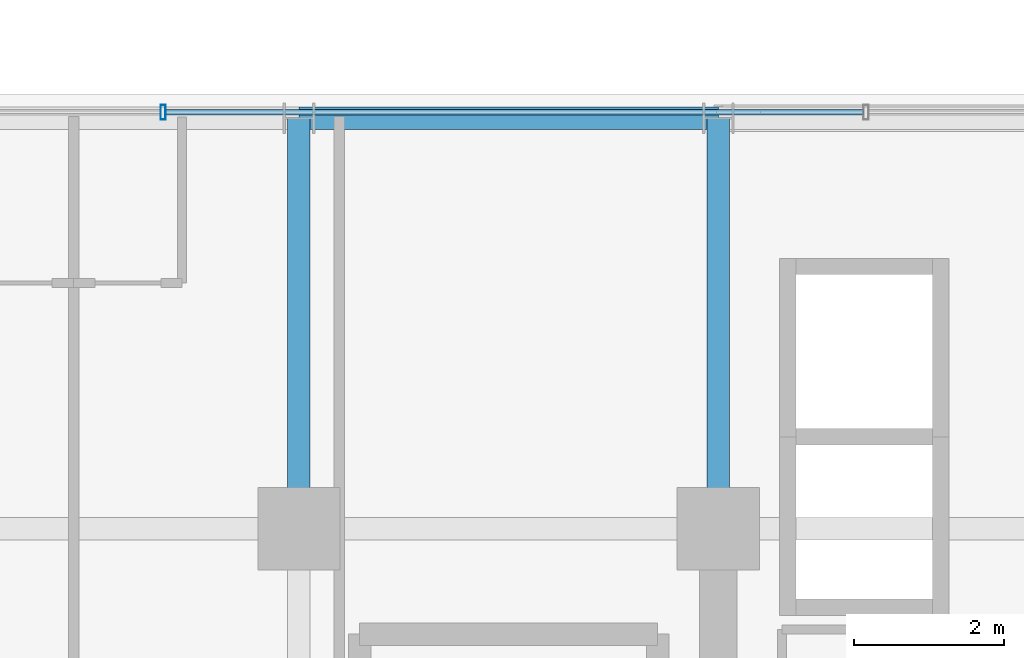
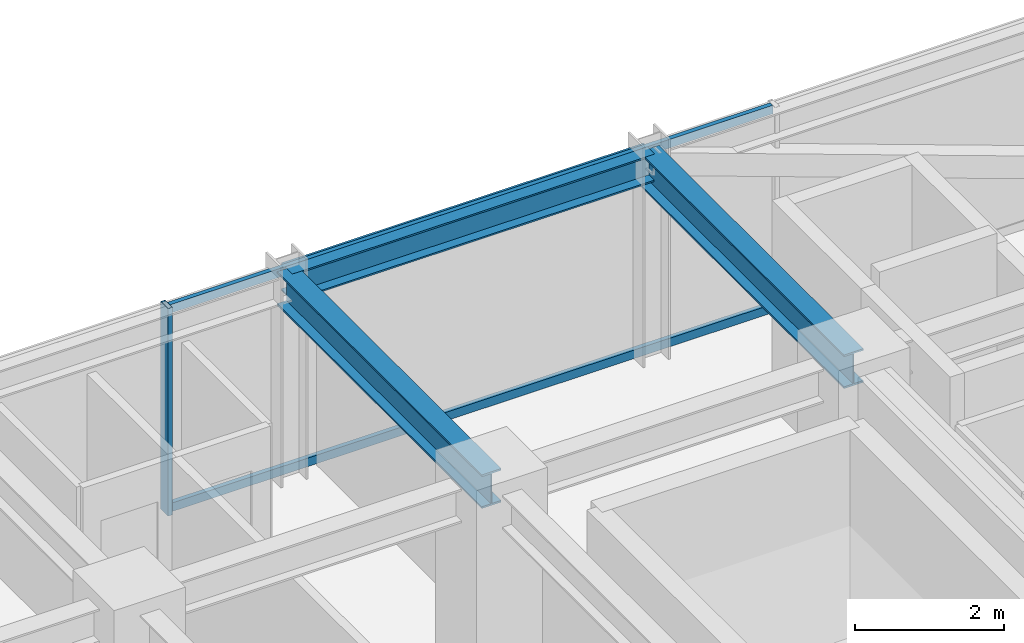
# One storey, part 24 of 36: 3 beams, 3 members, 1 element without a shape of its own.
"""IFC4 building model written with IfcOpenShell, lengths in metres."""

from ifc_helpers import new_model, si_unit, direction, frame, origin, origin_2d, place, context, subcontext, project, spatial, hollow_rectangle, i_section, extrude, source, transform, mapped, material, material_profile, profile_set, type_object, element, aggregate, save


model = new_model("IFC4")

# Units and contexts
model_context = context("Model", 3, precision=1e-05, world=origin(), true_north=direction((0.0, 1.0)))
body_context = subcontext(model_context, "Body", "Model", "MODEL_VIEW")
ifc_project = project(units=[si_unit("LENGTHUNIT", "METRE"), si_unit("AREAUNIT", "SQUARE_METRE"), si_unit("VOLUMEUNIT", "CUBIC_METRE"), si_unit("PLANEANGLEUNIT", "RADIAN"), si_unit("MASSUNIT", "GRAM", prefix="KILO")], contexts=[model_context])

# Site, building, storey
site_placement = place(None, origin())
site = spatial("IfcSite", under=ifc_project, at=site_placement, CompositionType="ELEMENT")
building_placement = place(site_placement, origin())
building = spatial("IfcBuilding", under=site, at=building_placement, Name="Nahalor Promenade Grand Hotel", CompositionType="ELEMENT")
storey_placement = place(building_placement, frame((0.0, 0.0, 174.550048828125)))
storey = spatial("IfcBuildingStorey", under=building, at=storey_placement, Name="L44", CompositionType="ELEMENT", Elevation=174.550048828125)

# Beams
ifc_material_1 = material(Name="Steel S355JR", Category="steel")
ifc_material_profile_1 = material_profile(ifc_material_1, i_section(OverallWidth=0.3, OverallDepth=0.55, WebThickness=0.015, FlangeThickness=0.029, at=origin_2d()), Name="HEB 550")
ifc_profile_set_1 = profile_set([ifc_material_profile_1], Name="Steel S355JR")
beam_type_1 = type_object("IfcBeamType", Name="Beam-Girder-HEB550", PredefinedType="BEAM", material=ifc_profile_set_1)
shared_shape_1 = source(origin(), body_context, "Body", "SweptSolid", [
    extrude(i_section(OverallWidth=0.3, OverallDepth=0.55, WebThickness=0.015, FlangeThickness=0.029, at=origin_2d()), origin(), (0.0, 0.0, 1.0), 5.47998046875),
])
for number, where, z_axis, x_axis, name in (
    (1, (2.800048828125, 17.0, 3.114990234375), (0.0, 1.0, 0.0), (-1.0, 0.0, 0.0), "BM-L44-GY-3-4"),
    (2, (8.39990234375, 17.0, 3.114990234375), (0.0, 1.0, 0.0), (-1.0, 0.0, 0.0), "BM-L44-GY-4-4"),
):
    element("IfcBeam", number, at=place(storey_placement, frame(where, z_axis=z_axis, x_axis=x_axis)), inside=storey, type_object=beam_type_1, Name=name, PredefinedType="BEAM", context=body_context, shape_type="MappedRepresentation", body=[
        mapped(shared_shape_1, transform((0.0, 0.0, 0.0), scale=1.0)),
    ])
ifc_material_profile_2 = material_profile(ifc_material_1, i_section(OverallWidth=0.3, OverallDepth=0.45, WebThickness=0.014, FlangeThickness=0.026, at=origin_2d()), Name="HEB 450")
ifc_profile_set_2 = profile_set([ifc_material_profile_2], Name="Steel S355JR")
beam_type_2 = type_object("IfcBeamType", Name="Beam-Spandrel-HEB450", PredefinedType="SPANDREL", material=ifc_profile_set_2)
shared_shape_2 = source(origin(), body_context, "Body", "SweptSolid", [
    extrude(i_section(OverallWidth=0.3, OverallDepth=0.45, WebThickness=0.014, FlangeThickness=0.026, at=origin_2d()), origin(), (0.0, 0.0, 1.0), 5.599853515625),
])
beam_placement = place(storey_placement, frame((2.800048828125, 22.47998046875, 3.1650390625), z_axis=(1.0, 0.0, 0.0), x_axis=(0.0, 1.0, 0.0)))
element("IfcBeam", 3, at=beam_placement, inside=storey, type_object=beam_type_2, Name="BM-L44-SP-N-3", PredefinedType="SPANDREL", context=body_context, shape_type="MappedRepresentation", body=[
    mapped(shared_shape_2, transform((0.0, 0.0, 0.0), scale=1.0)),
])

# Curtain wall, members
ifc_material_2 = material(Name="Anodised Bronze Aluminium EN AW-6063 T6", Category="aluminium")
curtain_wall_type = type_object("IfcCurtainWallType", Name="CW3 Elliptical-Void Collar Unitised Curtain Wall", PredefinedType="USERDEFINED", material=ifc_material_2)
curtain_wall_placement = place(storey_placement, origin())
curtain_wall = element("IfcCurtainWall", 4, at=curtain_wall_placement, inside=storey, type_object=curtain_wall_type, Name="L44 Curtain Wall CW-L44-N-3", ObjectType="UNITISED_CURTAIN_WALL", PredefinedType="USERDEFINED")
ifc_material_profile_3 = material_profile(ifc_material_2, hollow_rectangle(XDim=0.07, YDim=0.2, WallThickness=0.005, at=origin_2d()), Name="CWM 70x200x5")
ifc_profile_set_3 = profile_set([ifc_material_profile_3], Name="Anodised Bronze Aluminium EN AW-6063 T6")
member_type_1 = type_object("IfcMemberType", Name="CWM3 Void Collar Mullion 70x200", PredefinedType="MULLION", material=ifc_profile_set_3)
shared_shape_3 = source(origin(), body_context, "Body", "SweptSolid", [
    extrude(hollow_rectangle(XDim=0.07, YDim=0.2, WallThickness=0.005, at=origin_2d()), origin(), (0.0, 0.0, 1.0), 3.389892578125),
])
member_1_placement = place(storey_placement, frame((0.986572265625, 22.56005859375, 0.0), z_axis=(0.0, 0.0, 1.0), x_axis=(1.0, 0.0, 0.0)))
member_1 = element("IfcMember", 5, at=member_1_placement, type_object=member_type_1, Name="CW-L44-N-3 Mullion 1", PredefinedType="MULLION", context=body_context, shape_type="MappedRepresentation", body=[
    mapped(shared_shape_3, transform((0.0, 0.0, 0.0), scale=1.0)),
])
ifc_material_profile_4 = material_profile(ifc_material_2, hollow_rectangle(XDim=0.07, YDim=0.14, WallThickness=0.004, at=origin_2d()), Name="CWT 70x140x4")
ifc_profile_set_4 = profile_set([ifc_material_profile_4], Name="Anodised Bronze Aluminium EN AW-6063 T6")
member_type_2 = type_object("IfcMemberType", Name="CWT3 Void Collar Transom 70x140", PredefinedType="USERDEFINED", material=ifc_profile_set_4)
shared_shape_4 = source(origin(), body_context, "Body", "SweptSolid", [
    extrude(hollow_rectangle(XDim=0.07, YDim=0.14, WallThickness=0.004, at=origin_2d()), origin(), (0.0, 0.0, 1.0), 9.316650390625),
])
member_2_placement = place(storey_placement, frame((1.021728515625, 22.56005859375, 0.070068359375), z_axis=(1.0, 0.0, 0.0), x_axis=(0.0, 1.0, 0.0)))
member_2 = element("IfcMember", 6, at=member_2_placement, type_object=member_type_2, Name="CW-L44-N-3 Transom 1-0", ObjectType="TRANSOM", PredefinedType="USERDEFINED", context=body_context, shape_type="MappedRepresentation", body=[
    mapped(shared_shape_4, transform((0.0, 0.0, 0.0), scale=1.0)),
])
member_3_placement = place(storey_placement, frame((1.021728515625, 22.56005859375, 3.320068359375), z_axis=(1.0, 0.0, 0.0), x_axis=(0.0, 1.0, 0.0)))
member_3 = element("IfcMember", 7, at=member_3_placement, type_object=member_type_2, Name="CW-L44-N-3 Transom 1-1", ObjectType="TRANSOM", PredefinedType="USERDEFINED", context=body_context, shape_type="MappedRepresentation", body=[
    mapped(shared_shape_4, transform((0.0, 0.0, 0.0), scale=1.0)),
])
aggregate(curtain_wall, [member_1, member_2, member_3])

save(model, "model.ifc")
